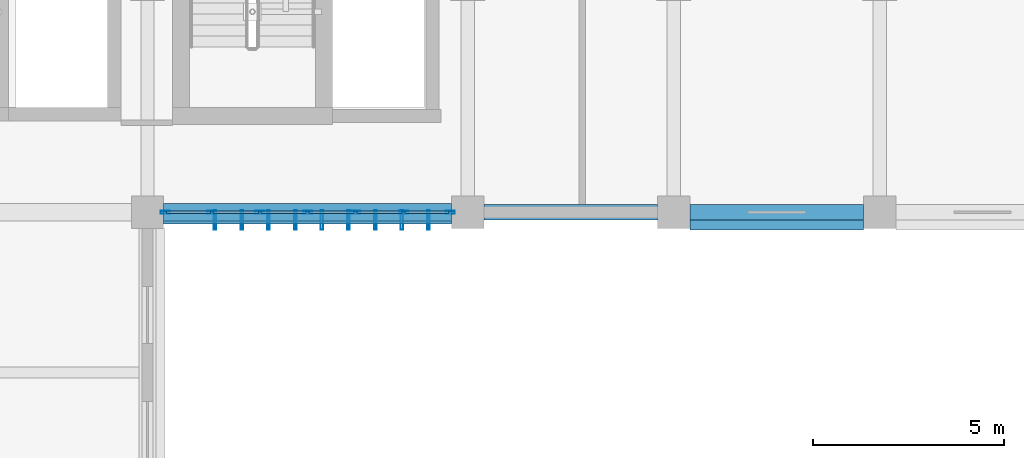
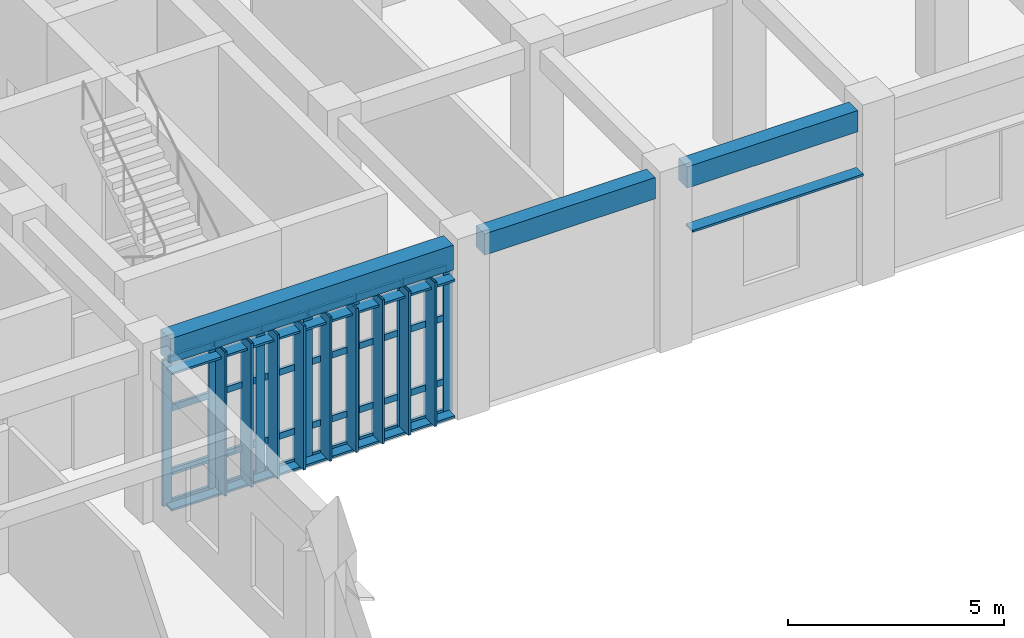
# One storey, part 59 of 106: 43 members, 3 beams, 1 element without a shape of its own.
"""IFC4 building model written with IfcOpenShell, lengths in metres."""

import ifcopenshell
import ifcopenshell.guid

model = None  # the IFC model being written
_history = None  # IfcOwnerHistory: only IFC2X3 demands one
_inside = {}  # id of a spatial element -> (the spatial element, [elements in it])
_under = {}  # id of a project, library or spatial element -> (it, [spatial elements below it])
_declared = {}  # id of a project -> (the project, [libraries it declares])
_typed = {}  # id of a type object -> (the type object, [elements of that type])
_made_of = {}  # id of a material, layer set ... -> (it, [elements and type objects made of it])


def new_model(schema):
    """Start an empty IFC model of exactly this schema.

    Asked for "IFC4X3", IfcOpenShell would pick the latest addendum, in which some entities
    have other attributes; the version numbers below select the first issue.
    IFC2X3 requires an IfcOwnerHistory on every rooted entity: one is made here for all.
    """
    global model, _history
    if schema == "IFC4X3":
        model = ifcopenshell.file(schema_version=(4, 3, 0, 0))
    else:
        model = ifcopenshell.file(schema=schema)
    _inside.clear()
    _under.clear()
    _declared.clear()
    _typed.clear()
    _made_of.clear()
    _history = None
    if model.schema == "IFC2X3":
        org = make("IfcOrganization", Name="unknown")
        user = make(
            "IfcPersonAndOrganization",
            ThePerson=make("IfcPerson", FamilyName="unknown"),
            TheOrganization=org,
        )
        app = make(
            "IfcApplication",
            ApplicationDeveloper=org,
            Version="unknown",
            ApplicationFullName="unknown",
            ApplicationIdentifier="unknown",
        )
        _history = make(
            "IfcOwnerHistory",
            OwningUser=user,
            OwningApplication=app,
            ChangeAction="ADDED",
            CreationDate=0,
        )
    return model


def make(cls, **values):
    """One entity of the class cls with the attributes given. An attribute that is None is left unset."""
    return model.create_entity(
        cls, **{name: value for name, value in values.items() if value is not None}
    )


def rooted(cls, **values):
    """An entity with a GlobalId (a new one), such as an element, a storey or a relation."""
    return make(cls, GlobalId=ifcopenshell.guid.new(), OwnerHistory=_history, **values)


def si_unit(unit_type, name, prefix=None):
    """IfcSIUnit, for example si_unit("LENGTHUNIT", "METRE", prefix="MILLI")."""
    return make("IfcSIUnit", UnitType=unit_type, Prefix=prefix, Name=name)


def assignment(units):
    """IfcUnitAssignment: the units of a project."""
    return None if units is None else make("IfcUnitAssignment", Units=units)


def point(xyz):
    """IfcCartesianPoint."""
    return None if xyz is None else make("IfcCartesianPoint", Coordinates=xyz)


def direction(xyz):
    """IfcDirection."""
    return None if xyz is None else make("IfcDirection", DirectionRatios=xyz)


def frame(location, z_axis=None, x_axis=None):
    """IfcAxis2Placement3D, a coordinate frame: its origin and axes. An axis left out is left unset."""
    return make(
        "IfcAxis2Placement3D",
        Location=point(location),
        Axis=direction(z_axis),
        RefDirection=direction(x_axis),
    )


def frame_2d(location, x_axis=None):
    """IfcAxis2Placement2D, a coordinate frame in the plane: its origin and x axis."""
    return make(
        "IfcAxis2Placement2D", Location=point(location), RefDirection=direction(x_axis)
    )


def origin():
    """The frame at (0, 0, 0) with its axes left unset."""
    return frame((0.0, 0.0, 0.0))


def origin_2d():
    """The frame at (0, 0) in the plane with its x axis left unset."""
    return frame_2d((0.0, 0.0))


def place(relative_to, where):
    """IfcLocalPlacement: puts the frame where relative to a parent placement (None: the world)."""
    return make(
        "IfcLocalPlacement", PlacementRelTo=relative_to, RelativePlacement=where
    )


def context(
    kind, dimensions, precision=None, world=None, true_north=None, identifier=None
):
    """IfcGeometricRepresentationContext, for example the 3D "Model" context."""
    return make(
        "IfcGeometricRepresentationContext",
        ContextIdentifier=identifier,
        ContextType=kind,
        CoordinateSpaceDimension=dimensions,
        Precision=precision,
        WorldCoordinateSystem=world,
        TrueNorth=true_north,
    )


def subcontext(parent, identifier, kind, view, scale=None):
    """IfcGeometricRepresentationSubContext, for example "Body" below "Model"."""
    return make(
        "IfcGeometricRepresentationSubContext",
        ContextIdentifier=identifier,
        ContextType=kind,
        ParentContext=parent,
        TargetScale=scale,
        TargetView=view,
    )


def project(units=None, contexts=None):
    """IfcProject with its units and contexts."""
    return rooted(
        "IfcProject",
        Name="project",
        RepresentationContexts=contexts,
        UnitsInContext=assignment(units),
    )


def spatial(cls, under=None, at=None, **own):
    """A site, building, storey or space (cls), placed at a placement, below another one or the project."""
    s = rooted(cls, ObjectPlacement=at, **own)
    if under is not None:
        _under.setdefault(under.id(), (under, []))[1].append(s)
    return s


def profile(cls, at=None, kind="AREA", **sizes):
    """A parametric profile (cls). Its sizes go by their IFC names, for example OverallWidth=200.0."""
    return make(cls, ProfileType=kind, Position=at, **sizes)


def rectangle(**sizes):
    """IfcRectangleProfileDef."""
    return profile("IfcRectangleProfileDef", **sizes)


def hollow_rectangle(**sizes):
    """IfcRectangleHollowProfileDef."""
    return profile("IfcRectangleHollowProfileDef", **sizes)


def extrude(swept, where, along, depth):
    """IfcExtrudedAreaSolid: the profile swept, set in the frame where, extruded along a direction by depth."""
    return make(
        "IfcExtrudedAreaSolid",
        SweptArea=swept,
        Position=where,
        ExtrudedDirection=direction(along),
        Depth=depth,
    )


def shape(context_of_items, identifier, shape_type, items):
    """IfcShapeRepresentation: the items that make up one representation, for example the "Body"."""
    return make(
        "IfcShapeRepresentation",
        ContextOfItems=context_of_items,
        RepresentationIdentifier=identifier,
        RepresentationType=shape_type,
        Items=items,
    )


def material(Name=None, Category=None):
    """IfcMaterial."""
    return make("IfcMaterial", Name=Name, Category=Category)


def layer(
    of_material, thickness, ventilated=None, Name=None, Category=None, Priority=None
):
    """IfcMaterialLayer: one layer of a wall or slab, of a material (None: an air gap)."""
    return make(
        "IfcMaterialLayer",
        Material=of_material,
        LayerThickness=thickness,
        IsVentilated=ventilated,
        Name=Name,
        Category=Category,
        Priority=Priority,
    )


def layer_set(layers, Name=None):
    """IfcMaterialLayerSet."""
    return make("IfcMaterialLayerSet", MaterialLayers=layers, LayerSetName=Name)


def material_profile(
    of_material, cross_section, Name=None, Category=None, Priority=None
):
    """IfcMaterialProfile: a cross section and its material."""
    return make(
        "IfcMaterialProfile",
        Name=Name,
        Material=of_material,
        Profile=cross_section,
        Priority=Priority,
        Category=Category,
    )


def profile_set(profiles, Name=None, composite=None):
    """IfcMaterialProfileSet."""
    return make(
        "IfcMaterialProfileSet",
        Name=Name,
        MaterialProfiles=profiles,
        CompositeProfile=composite,
    )


def made_of(thing, what):
    """Note that an element or type object is made of a material, layer set ...; save() writes the relation."""
    if what is not None:
        _made_of.setdefault(what.id(), (what, []))[1].append(thing)
    return thing


def type_object(cls, material=None, **own):
    """A type object (cls), such as IfcWallType, which elements share."""
    return made_of(rooted(cls, **own), material)


def element(
    cls,
    number,
    at=None,
    inside=None,
    cuts=None,
    type_object=None,
    material=None,
    context=None,
    identifier="Body",
    shape_type=None,
    held_by="IfcProductDefinitionShape",
    body=None,
    shapes=None,
    **own,
):
    """One element of the class cls, such as IfcWall. Its Tag is "e" and its number.

    at: its placement. inside: the storey or other place that contains it. cuts: it is an
    opening in that element (IfcRelVoidsElement). A single representation is given by context,
    identifier, shape_type and body (its items); several are given by shapes. held_by: the class
    of the entity that holds the representations. save() writes the other relations.
    """
    e = rooted(cls, Tag="e%d" % number, ObjectPlacement=at, **own)
    if body is not None:
        shapes = [shape(context, identifier, shape_type, body)]
    if shapes is not None:
        e.Representation = make(held_by, Representations=shapes)
    if inside is not None:
        _inside.setdefault(inside.id(), (inside, []))[1].append(e)
    if cuts is not None:
        rooted(
            "IfcRelVoidsElement", RelatingBuildingElement=cuts, RelatedOpeningElement=e
        )
    if type_object is not None:
        _typed.setdefault(type_object.id(), (type_object, []))[1].append(e)
    return made_of(e, material)


def aggregate(whole, parts):
    """IfcRelAggregates: a whole, such as a stair, and the parts it consists of."""
    return rooted("IfcRelAggregates", RelatingObject=whole, RelatedObjects=parts)


def save(model, path):
    """Write the relations noted so far, then the file.

    IfcRelAggregates (storeys below a building ...), IfcRelContainedInSpatialStructure (elements
    in a storey), IfcRelDefinesByType, IfcRelAssociatesMaterial and IfcRelDeclares: one each for
    every whole, place, type object, material and project.
    """
    for whole, parts in _under.values():
        aggregate(whole, parts)
    for where, things in _inside.values():
        rooted(
            "IfcRelContainedInSpatialStructure",
            RelatedElements=things,
            RelatingStructure=where,
        )
    for kind, things in _typed.values():
        rooted("IfcRelDefinesByType", RelatedObjects=things, RelatingType=kind)
    for what, things in _made_of.values():
        rooted("IfcRelAssociatesMaterial", RelatedObjects=things, RelatingMaterial=what)
    for by, libraries in _declared.values():
        rooted("IfcRelDeclares", RelatingContext=by, RelatedDefinitions=libraries)
    model.write(path)


model = new_model("IFC4")

# Units and contexts
model_context = context("Model", 3, precision=1e-05, world=origin(), true_north=direction((0.0, 1.0)))
body_context = subcontext(model_context, "Body", "Model", "MODEL_VIEW")
ifc_project = project(units=[si_unit("LENGTHUNIT", "METRE"), si_unit("AREAUNIT", "SQUARE_METRE"), si_unit("VOLUMEUNIT", "CUBIC_METRE"), si_unit("PLANEANGLEUNIT", "RADIAN"), si_unit("MASSUNIT", "GRAM", prefix="KILO")], contexts=[model_context])

# Site, building, storey
site_placement = place(None, origin())
site = spatial("IfcSite", under=ifc_project, at=site_placement, CompositionType="ELEMENT")
building_placement = place(site_placement, origin())
building = spatial("IfcBuilding", under=site, at=building_placement, Name="Krzemoval Escarpment Law Courts", CompositionType="ELEMENT")
storey_placement = place(building_placement, frame((0.0, 0.0, 5.10009765625)))
storey = spatial("IfcBuildingStorey", under=building, at=storey_placement, Name="L01", CompositionType="ELEMENT", Elevation=5.10009765625)

# Beams
ifc_material_1 = material(Name="Concrete C40/50", Category="concrete")
ifc_material_profile_1 = material_profile(ifc_material_1, rectangle(XDim=0.39990234375, YDim=0.60009765625, at=origin_2d()), Name="RCB 400x600")
ifc_profile_set_1 = profile_set([ifc_material_profile_1], Name="Concrete C40/50")
beam_type_1 = type_object("IfcBeamType", Name="BM-RC-400x600", PredefinedType="BEAM", material=ifc_profile_set_1)
for number, where, z_axis, x_axis, name in (
    (1, (151.625, 93.60009765625, 4.52001953125), (1.0, 0.0, 0.0), (0.0, 1.0, 0.0), "Beam FG-L01-1295"),
    (2, (157.02490234375, 93.60009765625, 4.52001953125), (1.0, 0.0, 0.0), (0.0, 1.0, 0.0), "Beam FG-L01-1296"),
):
    element("IfcBeam", number, at=place(storey_placement, frame(where, z_axis=z_axis, x_axis=x_axis)), inside=storey, type_object=beam_type_1, Name=name, PredefinedType="BEAM", context=body_context, shape_type="SweptSolid", body=[
        extrude(rectangle(XDim=0.39990234375, YDim=0.60009765625, at=origin_2d()), origin(), (0.0, 0.0, 1.0), 4.550048828125),
    ])
ifc_material_2 = material(Name="Concrete C40/50", Category="concrete")
ifc_material_profile_2 = material_profile(ifc_material_2, rectangle(XDim=0.449951171875, YDim=0.699951171875, at=origin_2d()), Name="RCB 450x700")
ifc_profile_set_2 = profile_set([ifc_material_profile_2], Name="Concrete C40/50")
beam_type_2 = type_object("IfcBeamType", Name="BM-RC-450x700", PredefinedType="BEAM", material=ifc_profile_set_2)
beam_placement = place(storey_placement, frame((143.22509765625, 93.60009765625, 4.469970703125), z_axis=(1.0, 0.0, 0.0), x_axis=(0.0, 1.0, 0.0)))
element("IfcBeam", 3, at=beam_placement, inside=storey, type_object=beam_type_2, Name="Beam FG-L01-1294", PredefinedType="BEAM", context=body_context, shape_type="SweptSolid", body=[
    extrude(rectangle(XDim=0.449951171875, YDim=0.699951171875, at=origin_2d()), origin(), (0.0, 0.0, 1.0), 7.5498046875),
])

# Curtain wall, members
ifc_material_3 = material(Name="Aluminium 6063-T6", Category="aluminium")
ifc_layer = layer(ifc_material_3, 0.239990234375)
ifc_layer_set = layer_set([ifc_layer], Name="Aluminium 6063-T6")
curtain_wall_type = type_object("IfcCurtainWallType", Name="CW-CHMB-4800", PredefinedType="USERDEFINED", material=ifc_layer_set)
curtain_wall_placement = place(storey_placement, origin())
curtain_wall = element("IfcCurtainWall", 4, at=curtain_wall_placement, inside=storey, type_object=curtain_wall_type, Name="Unitised Curtain Wall FCW-L01-040", ObjectType="UNITISED_CURTAIN_WALL", PredefinedType="USERDEFINED")
ifc_material_4 = material(Name="Aluminium 6063-T6", Category="aluminium")
ifc_material_profile_3 = material_profile(ifc_material_4, hollow_rectangle(XDim=0.074951171875, YDim=0.239990234375, WallThickness=0.0048828125, at=origin_2d()), Name="ALU M75x240")
ifc_profile_set_3 = profile_set([ifc_material_profile_3], Name="Aluminium 6063-T6")
member_type_1 = type_object("IfcMemberType", Name="CWM-75x240", PredefinedType="MULLION", material=ifc_profile_set_3)
member_1_placement = place(storey_placement, frame((150.737548828125, 93.60009765625, 0.0), z_axis=(0.0, 0.0, 1.0), x_axis=(0.0, -1.0, 0.0)))
member_1 = element("IfcMember", 5, at=member_1_placement, type_object=member_type_1, Name="FCW-L01-040 mullion 1", PredefinedType="MULLION", context=body_context, shape_type="SweptSolid", body=[
    extrude(hollow_rectangle(XDim=0.074951171875, YDim=0.239990234375, WallThickness=0.0048828125, at=origin_2d()), origin(), (0.0, 0.0, 1.0), 4.119873046875),
])
member_2_placement = place(storey_placement, frame((149.5166015625, 93.60009765625, 0.0), z_axis=(0.0, 0.0, 1.0), x_axis=(0.0, -1.0, 0.0)))
member_2 = element("IfcMember", 6, at=member_2_placement, type_object=member_type_1, Name="FCW-L01-040 mullion 2", PredefinedType="MULLION", context=body_context, shape_type="SweptSolid", body=[
    extrude(hollow_rectangle(XDim=0.074951171875, YDim=0.239990234375, WallThickness=0.0048828125, at=origin_2d()), origin(), (0.0, 0.0, 1.0), 4.119873046875),
])
member_3_placement = place(storey_placement, frame((148.25830078125, 93.60009765625, 0.0), z_axis=(0.0, 0.0, 1.0), x_axis=(0.0, -1.0, 0.0)))
member_3 = element("IfcMember", 7, at=member_3_placement, type_object=member_type_1, Name="FCW-L01-040 mullion 3", PredefinedType="MULLION", context=body_context, shape_type="SweptSolid", body=[
    extrude(hollow_rectangle(XDim=0.074951171875, YDim=0.239990234375, WallThickness=0.0048828125, at=origin_2d()), origin(), (0.0, 0.0, 1.0), 4.119873046875),
])
member_4_placement = place(storey_placement, frame((147.0, 93.60009765625, 0.0), z_axis=(0.0, 0.0, 1.0), x_axis=(0.0, -1.0, 0.0)))
member_4 = element("IfcMember", 8, at=member_4_placement, type_object=member_type_1, Name="FCW-L01-040 mullion 4", PredefinedType="MULLION", context=body_context, shape_type="SweptSolid", body=[
    extrude(hollow_rectangle(XDim=0.074951171875, YDim=0.239990234375, WallThickness=0.0048828125, at=origin_2d()), origin(), (0.0, 0.0, 1.0), 4.119873046875),
])
member_5_placement = place(storey_placement, frame((145.74169921875, 93.60009765625, 0.0), z_axis=(0.0, 0.0, 1.0), x_axis=(0.0, -1.0, 0.0)))
member_5 = element("IfcMember", 9, at=member_5_placement, type_object=member_type_1, Name="FCW-L01-040 mullion 5", PredefinedType="MULLION", context=body_context, shape_type="SweptSolid", body=[
    extrude(hollow_rectangle(XDim=0.074951171875, YDim=0.239990234375, WallThickness=0.0048828125, at=origin_2d()), origin(), (0.0, 0.0, 1.0), 4.119873046875),
])
member_6_placement = place(storey_placement, frame((144.4833984375, 93.60009765625, 0.0), z_axis=(0.0, 0.0, 1.0), x_axis=(0.0, -1.0, 0.0)))
member_6 = element("IfcMember", 10, at=member_6_placement, type_object=member_type_1, Name="FCW-L01-040 mullion 6", PredefinedType="MULLION", context=body_context, shape_type="SweptSolid", body=[
    extrude(hollow_rectangle(XDim=0.074951171875, YDim=0.239990234375, WallThickness=0.0048828125, at=origin_2d()), origin(), (0.0, 0.0, 1.0), 4.119873046875),
])
member_7_placement = place(storey_placement, frame((143.262451171875, 93.60009765625, 0.0), z_axis=(0.0, 0.0, 1.0), x_axis=(0.0, -1.0, 0.0)))
member_7 = element("IfcMember", 11, at=member_7_placement, type_object=member_type_1, Name="FCW-L01-040 mullion 7", PredefinedType="MULLION", context=body_context, shape_type="SweptSolid", body=[
    extrude(hollow_rectangle(XDim=0.074951171875, YDim=0.239990234375, WallThickness=0.0048828125, at=origin_2d()), origin(), (0.0, 0.0, 1.0), 4.119873046875),
])
ifc_material_5 = material(Name="Aluminium 6063-T6", Category="aluminium")
ifc_material_profile_4 = material_profile(ifc_material_5, hollow_rectangle(XDim=0.074951171875, YDim=0.179931640625, WallThickness=0.0048828125, at=origin_2d()), Name="ALU T75x180")
ifc_profile_set_4 = profile_set([ifc_material_profile_4], Name="Aluminium 6063-T6")
member_type_2 = type_object("IfcMemberType", Name="CWT-75x180", PredefinedType="USERDEFINED", material=ifc_profile_set_4)
member_8_placement = place(storey_placement, frame((150.699951171875, 93.60009765625, 0.037353515625), z_axis=(-1.0, 0.0, 0.0), x_axis=(0.0, -1.0, 0.0)))
member_8 = element("IfcMember", 12, at=member_8_placement, type_object=member_type_2, Name="FCW-L01-040 transom 1.1", ObjectType="TRANSOM", PredefinedType="USERDEFINED", context=body_context, shape_type="SweptSolid", body=[
    extrude(hollow_rectangle(XDim=0.074951171875, YDim=0.179931640625, WallThickness=0.0048828125, at=origin_2d()), origin(), (0.0, 0.0, 1.0), 1.145751953125),
])
member_9_placement = place(storey_placement, frame((150.699951171875, 93.60009765625, 0.89990234375), z_axis=(-1.0, 0.0, 0.0), x_axis=(0.0, -1.0, 0.0)))
member_9 = element("IfcMember", 13, at=member_9_placement, type_object=member_type_2, Name="FCW-L01-040 transom 1.2", ObjectType="TRANSOM", PredefinedType="USERDEFINED", context=body_context, shape_type="SweptSolid", body=[
    extrude(hollow_rectangle(XDim=0.074951171875, YDim=0.179931640625, WallThickness=0.0048828125, at=origin_2d()), origin(), (0.0, 0.0, 1.0), 1.145751953125),
])
member_10_placement = place(storey_placement, frame((150.699951171875, 93.60009765625, 2.699951171875), z_axis=(-1.0, 0.0, 0.0), x_axis=(0.0, -1.0, 0.0)))
member_10 = element("IfcMember", 14, at=member_10_placement, type_object=member_type_2, Name="FCW-L01-040 transom 1.3", ObjectType="TRANSOM", PredefinedType="USERDEFINED", context=body_context, shape_type="SweptSolid", body=[
    extrude(hollow_rectangle(XDim=0.074951171875, YDim=0.179931640625, WallThickness=0.0048828125, at=origin_2d()), origin(), (0.0, 0.0, 1.0), 1.145751953125),
])
member_11_placement = place(storey_placement, frame((150.699951171875, 93.60009765625, 4.08251953125), z_axis=(-1.0, 0.0, 0.0), x_axis=(0.0, -1.0, 0.0)))
member_11 = element("IfcMember", 15, at=member_11_placement, type_object=member_type_2, Name="FCW-L01-040 transom 1.4", ObjectType="TRANSOM", PredefinedType="USERDEFINED", context=body_context, shape_type="SweptSolid", body=[
    extrude(hollow_rectangle(XDim=0.074951171875, YDim=0.179931640625, WallThickness=0.0048828125, at=origin_2d()), origin(), (0.0, 0.0, 1.0), 1.145751953125),
])
member_12_placement = place(storey_placement, frame((149.479248046875, 93.60009765625, 0.037353515625), z_axis=(-1.0, 0.0, 0.0), x_axis=(0.0, -1.0, 0.0)))
member_12 = element("IfcMember", 16, at=member_12_placement, type_object=member_type_2, Name="FCW-L01-040 transom 2.1", ObjectType="TRANSOM", PredefinedType="USERDEFINED", context=body_context, shape_type="SweptSolid", body=[
    extrude(hollow_rectangle(XDim=0.074951171875, YDim=0.179931640625, WallThickness=0.0048828125, at=origin_2d()), origin(), (0.0, 0.0, 1.0), 1.183349609375),
])
member_13_placement = place(storey_placement, frame((149.479248046875, 93.60009765625, 0.89990234375), z_axis=(-1.0, 0.0, 0.0), x_axis=(0.0, -1.0, 0.0)))
member_13 = element("IfcMember", 17, at=member_13_placement, type_object=member_type_2, Name="FCW-L01-040 transom 2.2", ObjectType="TRANSOM", PredefinedType="USERDEFINED", context=body_context, shape_type="SweptSolid", body=[
    extrude(hollow_rectangle(XDim=0.074951171875, YDim=0.179931640625, WallThickness=0.0048828125, at=origin_2d()), origin(), (0.0, 0.0, 1.0), 1.183349609375),
])
member_14_placement = place(storey_placement, frame((149.479248046875, 93.60009765625, 2.699951171875), z_axis=(-1.0, 0.0, 0.0), x_axis=(0.0, -1.0, 0.0)))
member_14 = element("IfcMember", 18, at=member_14_placement, type_object=member_type_2, Name="FCW-L01-040 transom 2.3", ObjectType="TRANSOM", PredefinedType="USERDEFINED", context=body_context, shape_type="SweptSolid", body=[
    extrude(hollow_rectangle(XDim=0.074951171875, YDim=0.179931640625, WallThickness=0.0048828125, at=origin_2d()), origin(), (0.0, 0.0, 1.0), 1.183349609375),
])
member_15_placement = place(storey_placement, frame((149.479248046875, 93.60009765625, 4.08251953125), z_axis=(-1.0, 0.0, 0.0), x_axis=(0.0, -1.0, 0.0)))
member_15 = element("IfcMember", 19, at=member_15_placement, type_object=member_type_2, Name="FCW-L01-040 transom 2.4", ObjectType="TRANSOM", PredefinedType="USERDEFINED", context=body_context, shape_type="SweptSolid", body=[
    extrude(hollow_rectangle(XDim=0.074951171875, YDim=0.179931640625, WallThickness=0.0048828125, at=origin_2d()), origin(), (0.0, 0.0, 1.0), 1.183349609375),
])
member_16_placement = place(storey_placement, frame((148.220947265625, 93.60009765625, 0.037353515625), z_axis=(-1.0, 0.0, 0.0), x_axis=(0.0, -1.0, 0.0)))
member_16 = element("IfcMember", 20, at=member_16_placement, type_object=member_type_2, Name="FCW-L01-040 transom 3.1", ObjectType="TRANSOM", PredefinedType="USERDEFINED", context=body_context, shape_type="SweptSolid", body=[
    extrude(hollow_rectangle(XDim=0.074951171875, YDim=0.179931640625, WallThickness=0.0048828125, at=origin_2d()), origin(), (0.0, 0.0, 1.0), 1.183349609375),
])
member_17_placement = place(storey_placement, frame((148.220947265625, 93.60009765625, 0.89990234375), z_axis=(-1.0, 0.0, 0.0), x_axis=(0.0, -1.0, 0.0)))
member_17 = element("IfcMember", 21, at=member_17_placement, type_object=member_type_2, Name="FCW-L01-040 transom 3.2", ObjectType="TRANSOM", PredefinedType="USERDEFINED", context=body_context, shape_type="SweptSolid", body=[
    extrude(hollow_rectangle(XDim=0.074951171875, YDim=0.179931640625, WallThickness=0.0048828125, at=origin_2d()), origin(), (0.0, 0.0, 1.0), 1.183349609375),
])
member_18_placement = place(storey_placement, frame((148.220947265625, 93.60009765625, 2.699951171875), z_axis=(-1.0, 0.0, 0.0), x_axis=(0.0, -1.0, 0.0)))
member_18 = element("IfcMember", 22, at=member_18_placement, type_object=member_type_2, Name="FCW-L01-040 transom 3.3", ObjectType="TRANSOM", PredefinedType="USERDEFINED", context=body_context, shape_type="SweptSolid", body=[
    extrude(hollow_rectangle(XDim=0.074951171875, YDim=0.179931640625, WallThickness=0.0048828125, at=origin_2d()), origin(), (0.0, 0.0, 1.0), 1.183349609375),
])
member_19_placement = place(storey_placement, frame((148.220947265625, 93.60009765625, 4.08251953125), z_axis=(-1.0, 0.0, 0.0), x_axis=(0.0, -1.0, 0.0)))
member_19 = element("IfcMember", 23, at=member_19_placement, type_object=member_type_2, Name="FCW-L01-040 transom 3.4", ObjectType="TRANSOM", PredefinedType="USERDEFINED", context=body_context, shape_type="SweptSolid", body=[
    extrude(hollow_rectangle(XDim=0.074951171875, YDim=0.179931640625, WallThickness=0.0048828125, at=origin_2d()), origin(), (0.0, 0.0, 1.0), 1.183349609375),
])
member_20_placement = place(storey_placement, frame((146.96240234375, 93.60009765625, 0.037353515625), z_axis=(-1.0, 0.0, 0.0), x_axis=(0.0, -1.0, 0.0)))
member_20 = element("IfcMember", 24, at=member_20_placement, type_object=member_type_2, Name="FCW-L01-040 transom 4.1", ObjectType="TRANSOM", PredefinedType="USERDEFINED", context=body_context, shape_type="SweptSolid", body=[
    extrude(hollow_rectangle(XDim=0.074951171875, YDim=0.179931640625, WallThickness=0.0048828125, at=origin_2d()), origin(), (0.0, 0.0, 1.0), 1.183349609375),
])
member_21_placement = place(storey_placement, frame((146.96240234375, 93.60009765625, 0.89990234375), z_axis=(-1.0, 0.0, 0.0), x_axis=(0.0, -1.0, 0.0)))
member_21 = element("IfcMember", 25, at=member_21_placement, type_object=member_type_2, Name="FCW-L01-040 transom 4.2", ObjectType="TRANSOM", PredefinedType="USERDEFINED", context=body_context, shape_type="SweptSolid", body=[
    extrude(hollow_rectangle(XDim=0.074951171875, YDim=0.179931640625, WallThickness=0.0048828125, at=origin_2d()), origin(), (0.0, 0.0, 1.0), 1.183349609375),
])
member_22_placement = place(storey_placement, frame((146.96240234375, 93.60009765625, 2.699951171875), z_axis=(-1.0, 0.0, 0.0), x_axis=(0.0, -1.0, 0.0)))
member_22 = element("IfcMember", 26, at=member_22_placement, type_object=member_type_2, Name="FCW-L01-040 transom 4.3", ObjectType="TRANSOM", PredefinedType="USERDEFINED", context=body_context, shape_type="SweptSolid", body=[
    extrude(hollow_rectangle(XDim=0.074951171875, YDim=0.179931640625, WallThickness=0.0048828125, at=origin_2d()), origin(), (0.0, 0.0, 1.0), 1.183349609375),
])
member_23_placement = place(storey_placement, frame((146.96240234375, 93.60009765625, 4.08251953125), z_axis=(-1.0, 0.0, 0.0), x_axis=(0.0, -1.0, 0.0)))
member_23 = element("IfcMember", 27, at=member_23_placement, type_object=member_type_2, Name="FCW-L01-040 transom 4.4", ObjectType="TRANSOM", PredefinedType="USERDEFINED", context=body_context, shape_type="SweptSolid", body=[
    extrude(hollow_rectangle(XDim=0.074951171875, YDim=0.179931640625, WallThickness=0.0048828125, at=origin_2d()), origin(), (0.0, 0.0, 1.0), 1.183349609375),
])
member_24_placement = place(storey_placement, frame((145.7041015625, 93.60009765625, 0.037353515625), z_axis=(-1.0, 0.0, 0.0), x_axis=(0.0, -1.0, 0.0)))
member_24 = element("IfcMember", 28, at=member_24_placement, type_object=member_type_2, Name="FCW-L01-040 transom 5.1", ObjectType="TRANSOM", PredefinedType="USERDEFINED", context=body_context, shape_type="SweptSolid", body=[
    extrude(hollow_rectangle(XDim=0.074951171875, YDim=0.179931640625, WallThickness=0.0048828125, at=origin_2d()), origin(), (0.0, 0.0, 1.0), 1.183349609375),
])
member_25_placement = place(storey_placement, frame((145.7041015625, 93.60009765625, 0.89990234375), z_axis=(-1.0, 0.0, 0.0), x_axis=(0.0, -1.0, 0.0)))
member_25 = element("IfcMember", 29, at=member_25_placement, type_object=member_type_2, Name="FCW-L01-040 transom 5.2", ObjectType="TRANSOM", PredefinedType="USERDEFINED", context=body_context, shape_type="SweptSolid", body=[
    extrude(hollow_rectangle(XDim=0.074951171875, YDim=0.179931640625, WallThickness=0.0048828125, at=origin_2d()), origin(), (0.0, 0.0, 1.0), 1.183349609375),
])
member_26_placement = place(storey_placement, frame((145.7041015625, 93.60009765625, 2.699951171875), z_axis=(-1.0, 0.0, 0.0), x_axis=(0.0, -1.0, 0.0)))
member_26 = element("IfcMember", 30, at=member_26_placement, type_object=member_type_2, Name="FCW-L01-040 transom 5.3", ObjectType="TRANSOM", PredefinedType="USERDEFINED", context=body_context, shape_type="SweptSolid", body=[
    extrude(hollow_rectangle(XDim=0.074951171875, YDim=0.179931640625, WallThickness=0.0048828125, at=origin_2d()), origin(), (0.0, 0.0, 1.0), 1.183349609375),
])
member_27_placement = place(storey_placement, frame((145.7041015625, 93.60009765625, 4.08251953125), z_axis=(-1.0, 0.0, 0.0), x_axis=(0.0, -1.0, 0.0)))
member_27 = element("IfcMember", 31, at=member_27_placement, type_object=member_type_2, Name="FCW-L01-040 transom 5.4", ObjectType="TRANSOM", PredefinedType="USERDEFINED", context=body_context, shape_type="SweptSolid", body=[
    extrude(hollow_rectangle(XDim=0.074951171875, YDim=0.179931640625, WallThickness=0.0048828125, at=origin_2d()), origin(), (0.0, 0.0, 1.0), 1.183349609375),
])
member_28_placement = place(storey_placement, frame((144.44580078125, 93.60009765625, 0.037353515625), z_axis=(-1.0, 0.0, 0.0), x_axis=(0.0, -1.0, 0.0)))
member_28 = element("IfcMember", 32, at=member_28_placement, type_object=member_type_2, Name="FCW-L01-040 transom 6.1", ObjectType="TRANSOM", PredefinedType="USERDEFINED", context=body_context, shape_type="SweptSolid", body=[
    extrude(hollow_rectangle(XDim=0.074951171875, YDim=0.179931640625, WallThickness=0.0048828125, at=origin_2d()), origin(), (0.0, 0.0, 1.0), 1.145751953125),
])
member_29_placement = place(storey_placement, frame((144.44580078125, 93.60009765625, 0.89990234375), z_axis=(-1.0, 0.0, 0.0), x_axis=(0.0, -1.0, 0.0)))
member_29 = element("IfcMember", 33, at=member_29_placement, type_object=member_type_2, Name="FCW-L01-040 transom 6.2", ObjectType="TRANSOM", PredefinedType="USERDEFINED", context=body_context, shape_type="SweptSolid", body=[
    extrude(hollow_rectangle(XDim=0.074951171875, YDim=0.179931640625, WallThickness=0.0048828125, at=origin_2d()), origin(), (0.0, 0.0, 1.0), 1.145751953125),
])
member_30_placement = place(storey_placement, frame((144.44580078125, 93.60009765625, 2.699951171875), z_axis=(-1.0, 0.0, 0.0), x_axis=(0.0, -1.0, 0.0)))
member_30 = element("IfcMember", 34, at=member_30_placement, type_object=member_type_2, Name="FCW-L01-040 transom 6.3", ObjectType="TRANSOM", PredefinedType="USERDEFINED", context=body_context, shape_type="SweptSolid", body=[
    extrude(hollow_rectangle(XDim=0.074951171875, YDim=0.179931640625, WallThickness=0.0048828125, at=origin_2d()), origin(), (0.0, 0.0, 1.0), 1.145751953125),
])
member_31_placement = place(storey_placement, frame((144.44580078125, 93.60009765625, 4.08251953125), z_axis=(-1.0, 0.0, 0.0), x_axis=(0.0, -1.0, 0.0)))
member_31 = element("IfcMember", 35, at=member_31_placement, type_object=member_type_2, Name="FCW-L01-040 transom 6.4", ObjectType="TRANSOM", PredefinedType="USERDEFINED", context=body_context, shape_type="SweptSolid", body=[
    extrude(hollow_rectangle(XDim=0.074951171875, YDim=0.179931640625, WallThickness=0.0048828125, at=origin_2d()), origin(), (0.0, 0.0, 1.0), 1.145751953125),
])
aggregate(curtain_wall, [member_1, member_2, member_3, member_4, member_5, member_6, member_7, member_8, member_9, member_10, member_11, member_12, member_13, member_14, member_15, member_16, member_17, member_18, member_19, member_20, member_21, member_22, member_23, member_24, member_25, member_26, member_27, member_28, member_29, member_30, member_31])

# Members
ifc_material_6 = material(Name="Anodised Aluminium Alloy 6063-T6", Category="aluminium")
ifc_material_profile_5 = material_profile(ifc_material_6, hollow_rectangle(XDim=0.06005859375, YDim=0.320068359375, WallThickness=0.00390625, at=origin_2d()), Name="ALU LVR 60x320")
ifc_profile_set_5 = profile_set([ifc_material_profile_5], Name="Anodised Aluminium Alloy 6063-T6")
member_type_3 = type_object("IfcMemberType", Name="LVR-ALU-320", PredefinedType="USERDEFINED", material=ifc_profile_set_5)
member_32_placement = place(storey_placement, frame((161.574951171875, 93.300048828125, 3.159912109375), z_axis=(-1.0, 0.0, 0.0), x_axis=(0.0, 0.0, 1.0)))
element("IfcMember", 36, at=member_32_placement, inside=storey, type_object=member_type_3, Name="Window Sunshade Louvre FLV-L01-0113", ObjectType="SUNSHADE_LOUVRE", PredefinedType="USERDEFINED", context=body_context, shape_type="SweptSolid", body=[
    extrude(hollow_rectangle(XDim=0.06005859375, YDim=0.320068359375, WallThickness=0.00390625, at=origin_2d()), origin(), (0.0, 0.0, 1.0), 4.550048828125),
])
for number, where, z_axis, x_axis, name in (
    (37, (150.77490234375, 93.4599609375, 0.02978515625), (-1.0, 0.0, 0.0), (0.0, 0.0, 1.0), "Sunshade Support Rail FSR-L01-0114"),
    (38, (150.77490234375, 93.4599609375, 3.869873046875), (-1.0, 0.0, 0.0), (0.0, 0.0, 1.0), "Sunshade Support Rail FSR-L01-0115"),
):
    element("IfcMember", number, at=place(storey_placement, frame(where, z_axis=z_axis, x_axis=x_axis)), inside=storey, type_object=member_type_3, Name=name, ObjectType="SUNSHADE_LOUVRE", PredefinedType="USERDEFINED", context=body_context, shape_type="SweptSolid", body=[
        extrude(hollow_rectangle(XDim=0.06005859375, YDim=0.320068359375, WallThickness=0.00390625, at=origin_2d()), origin(), (0.0, 0.0, 1.0), 7.5498046875),
    ])
ifc_material_7 = material(Name="Anodised Aluminium Alloy 6063-T6", Category="aluminium")
ifc_material_profile_6 = material_profile(ifc_material_7, hollow_rectangle(XDim=0.06494140625, YDim=0.52001953125, WallThickness=0.00439453125, at=origin_2d()), Name="ALU LVR 65x520")
ifc_profile_set_6 = profile_set([ifc_material_profile_6], Name="Anodised Aluminium Alloy 6063-T6")
member_type_4 = type_object("IfcMemberType", Name="LVR-ALU-520", PredefinedType="USERDEFINED", material=ifc_profile_set_6)
for number, where, z_axis, x_axis, name in (
    (39, (150.175048828125, 93.39990234375, 0.059814453125), (0.0, 0.0, 1.0), (1.0, 0.0, 0.0), "Sunshade Louvre Fin FLV-L01-0116"),
    (40, (149.47509765625, 93.39990234375, 0.059814453125), (0.0, 0.0, 1.0), (1.0, 0.0, 0.0), "Sunshade Louvre Fin FLV-L01-0117"),
    (41, (148.77490234375, 93.39990234375, 0.059814453125), (0.0, 0.0, 1.0), (1.0, 0.0, 0.0), "Sunshade Louvre Fin FLV-L01-0118"),
    (42, (148.074951171875, 93.39990234375, 0.059814453125), (0.0, 0.0, 1.0), (1.0, 0.0, 0.0), "Sunshade Louvre Fin FLV-L01-0119"),
    (43, (147.375, 93.39990234375, 0.059814453125), (0.0, 0.0, 1.0), (1.0, 0.0, 0.0), "Sunshade Louvre Fin FLV-L01-0120"),
    (44, (146.675048828125, 93.39990234375, 0.059814453125), (0.0, 0.0, 1.0), (1.0, 0.0, 0.0), "Sunshade Louvre Fin FLV-L01-0121"),
    (45, (145.97509765625, 93.39990234375, 0.059814453125), (0.0, 0.0, 1.0), (1.0, 0.0, 0.0), "Sunshade Louvre Fin FLV-L01-0122"),
    (46, (145.27490234375, 93.39990234375, 0.059814453125), (0.0, 0.0, 1.0), (1.0, 0.0, 0.0), "Sunshade Louvre Fin FLV-L01-0123"),
    (47, (144.574951171875, 93.39990234375, 0.059814453125), (0.0, 0.0, 1.0), (1.0, 0.0, 0.0), "Sunshade Louvre Fin FLV-L01-0124"),
):
    element("IfcMember", number, at=place(storey_placement, frame(where, z_axis=z_axis, x_axis=x_axis)), inside=storey, type_object=member_type_4, Name=name, ObjectType="SUNSHADE_LOUVRE", PredefinedType="USERDEFINED", context=body_context, shape_type="SweptSolid", body=[
        extrude(hollow_rectangle(XDim=0.06494140625, YDim=0.52001953125, WallThickness=0.00439453125, at=origin_2d()), origin(), (0.0, 0.0, 1.0), 4.06005859375),
    ])

save(model, "model.ifc")
